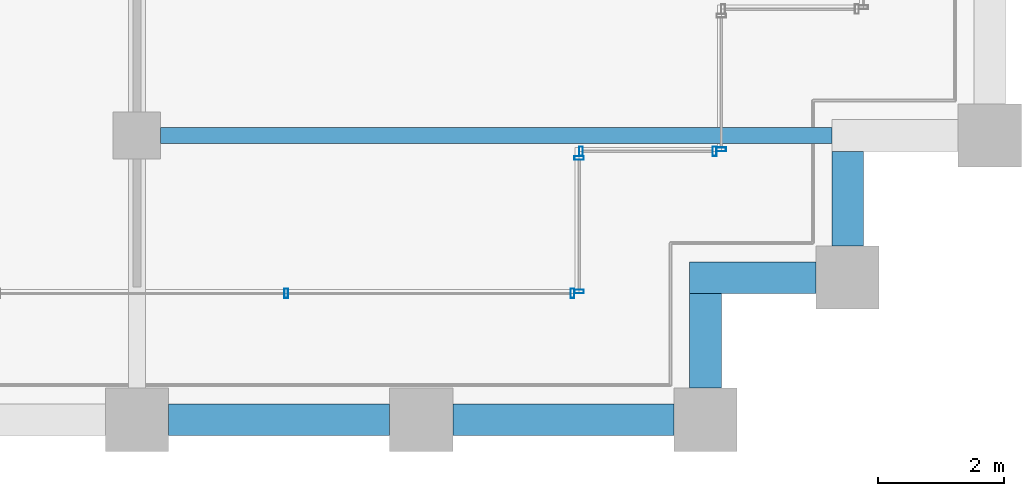
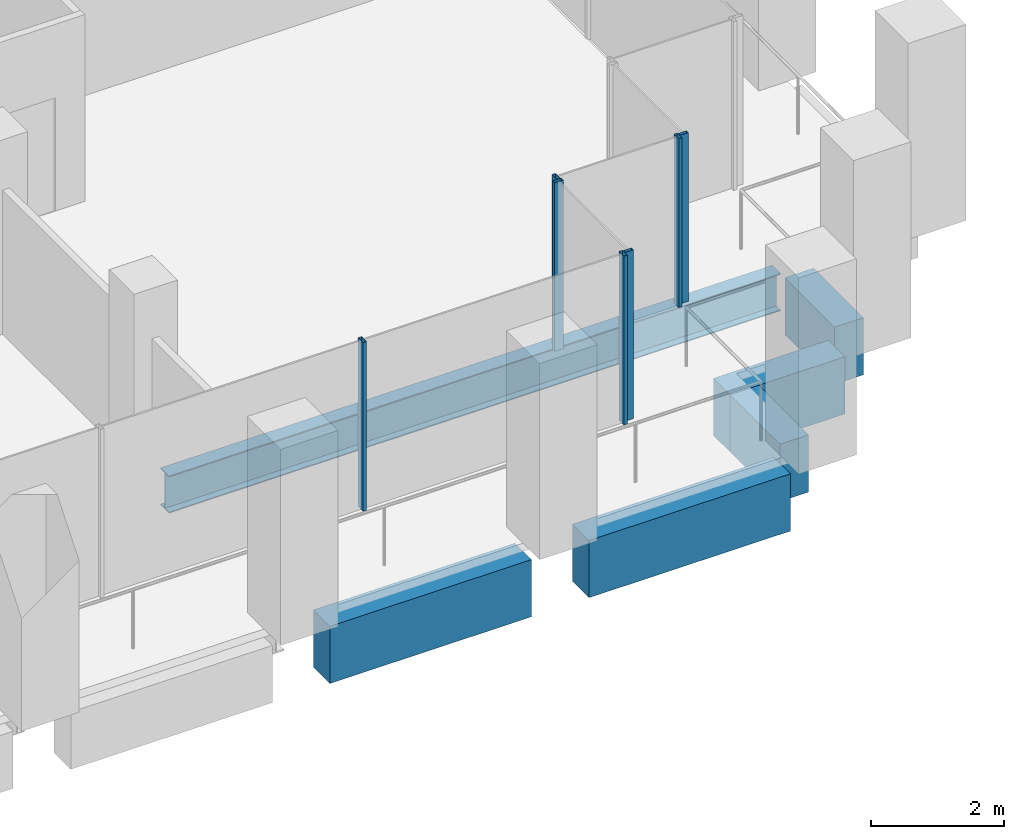
# One storey, part 12 of 47: 7 members, 6 beams, 4 elements without a shape of their own.
"""IFC4 building model written with IfcOpenShell, lengths in metres."""

from ifc_helpers import new_model, si_unit, direction, frame, origin, origin_2d, place, context, subcontext, project, spatial, rectangle, hollow_rectangle, i_section, extrude, material, material_profile, profile_set, type_object, element, aggregate, save


model = new_model("IFC4")

# Units and contexts
model_context = context("Model", 3, precision=1e-05, world=origin(), true_north=direction((0.0, 1.0)))
body_context = subcontext(model_context, "Body", "Model", "MODEL_VIEW")
ifc_project = project(units=[si_unit("LENGTHUNIT", "METRE"), si_unit("AREAUNIT", "SQUARE_METRE"), si_unit("VOLUMEUNIT", "CUBIC_METRE"), si_unit("PLANEANGLEUNIT", "RADIAN"), si_unit("MASSUNIT", "GRAM", prefix="KILO")], contexts=[model_context])

# Site, building, storey
site_placement = place(None, origin())
site = spatial("IfcSite", under=ifc_project, at=site_placement, CompositionType="ELEMENT")
building_placement = place(site_placement, origin())
building = spatial("IfcBuilding", under=site, at=building_placement, Name="Altepetl Exchange Towers", CompositionType="ELEMENT")
storey_placement = place(building_placement, frame((0.0, 0.0, 95.60009765625)))
storey = spatial("IfcBuildingStorey", under=building, at=storey_placement, Name="L23", CompositionType="ELEMENT", Elevation=95.60009765625)

# Beam
ifc_material_1 = material(Name="Steel S355", Category="steel")
ifc_material_profile_1 = material_profile(ifc_material_1, i_section(OverallWidth=0.25390625, OverallDepth=0.68408203125, WebThickness=0.012451171875, FlangeThickness=0.018798828125, at=origin_2d()), Name="W27X94")
ifc_profile_set_1 = profile_set([ifc_material_profile_1], Name="Steel S355")
beam_type_1 = type_object("IfcBeamType", Name="Floor beam W27X94", PredefinedType="BEAM", material=ifc_profile_set_1)
beam_1_placement = place(storey_placement, frame((58.875, 31.5, -0.4921875), z_axis=(1.0, 0.0, 0.0), x_axis=(0.0, 1.0, 0.0)))
element("IfcBeam", 1, at=beam_1_placement, inside=storey, type_object=beam_type_1, Name="bm:A:L23:006", PredefinedType="BEAM", context=body_context, shape_type="SweptSolid", body=[
    extrude(i_section(OverallWidth=0.25390625, OverallDepth=0.68408203125, WebThickness=0.012451171875, FlangeThickness=0.018798828125, at=origin_2d()), origin(), (0.0, 0.0, 1.0), 10.625),
])

# Curtain wall, members
ifc_material_2 = material(Name="Aluminium 6063-T6 glazing", Category="aluminium")
curtain_wall_type = type_object("IfcCurtainWallType", Name="Loggia glazing system", PredefinedType="NOTDEFINED", material=ifc_material_2)
curtain_wall_1_placement = place(storey_placement, origin())
curtain_wall_1 = element("IfcCurtainWall", 2, at=curtain_wall_1_placement, inside=storey, type_object=curtain_wall_type, Name="CW1 run", PredefinedType="NOTDEFINED")
ifc_material_3 = material(Name="Aluminium 6063-T6", Category="aluminium")
ifc_material_profile_2 = material_profile(ifc_material_3, hollow_rectangle(XDim=0.06005859375, YDim=0.14990234375, WallThickness=0.0029296875, at=origin_2d()), Name="Mullion 60x150 aluminium")
ifc_profile_set_2 = profile_set([ifc_material_profile_2], Name="Aluminium 6063-T6")
member_type = type_object("IfcMemberType", Name="Mullion 60x150 aluminium", PredefinedType="MULLION", material=ifc_profile_set_2)
member_1_placement = place(storey_placement, frame((60.8642578125, 29.0, 0.0)))
member_1 = element("IfcMember", 3, at=member_1_placement, type_object=member_type, Name="MU1 mullion", PredefinedType="MULLION", context=body_context, shape_type="SweptSolid", body=[
    extrude(hollow_rectangle(XDim=0.06005859375, YDim=0.14990234375, WallThickness=0.0029296875, at=origin_2d()), origin(), (0.0, 0.0, 1.0), 3.099853515625),
])
member_2_placement = place(storey_placement, frame((65.39501953125, 29.0, 0.0)))
member_2 = element("IfcMember", 4, at=member_2_placement, type_object=member_type, Name="MU1 mullion", PredefinedType="MULLION", context=body_context, shape_type="SweptSolid", body=[
    extrude(hollow_rectangle(XDim=0.06005859375, YDim=0.14990234375, WallThickness=0.0029296875, at=origin_2d()), origin(), (0.0, 0.0, 1.0), 3.099853515625),
])
aggregate(curtain_wall_1, [member_1, member_2])

curtain_wall_2_placement = place(storey_placement, origin())
curtain_wall_2 = element("IfcCurtainWall", 5, at=curtain_wall_2_placement, inside=storey, type_object=curtain_wall_type, Name="CW1 run", PredefinedType="NOTDEFINED")
member_3_placement = place(storey_placement, frame((65.5, 29.030029296875, 0.0), z_axis=(0.0, 0.0, 1.0), x_axis=(0.0, 1.0, 0.0)))
member_3 = element("IfcMember", 6, at=member_3_placement, type_object=member_type, Name="MU1 mullion", PredefinedType="MULLION", context=body_context, shape_type="SweptSolid", body=[
    extrude(hollow_rectangle(XDim=0.06005859375, YDim=0.14990234375, WallThickness=0.0029296875, at=origin_2d()), origin(), (0.0, 0.0, 1.0), 3.099853515625),
])
member_4_placement = place(storey_placement, frame((65.5, 31.14501953125, 0.0), z_axis=(0.0, 0.0, 1.0), x_axis=(0.0, 1.0, 0.0)))
member_4 = element("IfcMember", 7, at=member_4_placement, type_object=member_type, Name="MU1 mullion", PredefinedType="MULLION", context=body_context, shape_type="SweptSolid", body=[
    extrude(hollow_rectangle(XDim=0.06005859375, YDim=0.14990234375, WallThickness=0.0029296875, at=origin_2d()), origin(), (0.0, 0.0, 1.0), 3.099853515625),
])
aggregate(curtain_wall_2, [member_3, member_4])

curtain_wall_3_placement = place(storey_placement, origin())
curtain_wall_3 = element("IfcCurtainWall", 8, at=curtain_wall_3_placement, inside=storey, type_object=curtain_wall_type, Name="CW1 run", PredefinedType="NOTDEFINED")
member_5_placement = place(storey_placement, frame((65.530029296875, 31.25, 0.0)))
member_5 = element("IfcMember", 9, at=member_5_placement, type_object=member_type, Name="MU1 mullion", PredefinedType="MULLION", context=body_context, shape_type="SweptSolid", body=[
    extrude(hollow_rectangle(XDim=0.06005859375, YDim=0.14990234375, WallThickness=0.0029296875, at=origin_2d()), origin(), (0.0, 0.0, 1.0), 3.099853515625),
])
member_6_placement = place(storey_placement, frame((67.64501953125, 31.25, 0.0)))
member_6 = element("IfcMember", 10, at=member_6_placement, type_object=member_type, Name="MU1 mullion", PredefinedType="MULLION", context=body_context, shape_type="SweptSolid", body=[
    extrude(hollow_rectangle(XDim=0.06005859375, YDim=0.14990234375, WallThickness=0.0029296875, at=origin_2d()), origin(), (0.0, 0.0, 1.0), 3.099853515625),
])
aggregate(curtain_wall_3, [member_5, member_6])

# Curtain wall, member
curtain_wall_4_placement = place(storey_placement, origin())
curtain_wall_4 = element("IfcCurtainWall", 11, at=curtain_wall_4_placement, inside=storey, type_object=curtain_wall_type, Name="CW1 run", PredefinedType="NOTDEFINED")
member_7_placement = place(storey_placement, frame((67.75, 31.280029296875, 0.0), z_axis=(0.0, 0.0, 1.0), x_axis=(0.0, 1.0, 0.0)))
member_7 = element("IfcMember", 12, at=member_7_placement, type_object=member_type, Name="MU1 mullion", PredefinedType="MULLION", context=body_context, shape_type="SweptSolid", body=[
    extrude(hollow_rectangle(XDim=0.06005859375, YDim=0.14990234375, WallThickness=0.0029296875, at=origin_2d()), origin(), (0.0, 0.0, 1.0), 3.099853515625),
])
aggregate(curtain_wall_4, [member_7])

# Beams
ifc_material_4 = material(Name="Concrete C50/60 precast with cantera amarilla facing", Category="concrete")
ifc_material_profile_3 = material_profile(ifc_material_4, rectangle(XDim=0.5, YDim=1.050048828125, at=origin_2d()), Name="500 x 1050")
ifc_profile_set_3 = profile_set([ifc_material_profile_3], Name="Concrete C50/60 precast with cantera amarilla facing")
beam_type_2 = type_object("IfcBeamType", Name="Spandrel beam 500x1050 cantera amarilla", PredefinedType="SPANDREL", material=ifc_profile_set_3)
for number, where, z_axis, x_axis, name in (
    (13, (59.0, 27.0, -0.675048828125), (1.0, 0.0, 0.0), (0.0, 1.0, 0.0), "sp:A:L23:006"),
    (14, (63.5, 27.0, -0.675048828125), (1.0, 0.0, 0.0), (0.0, 1.0, 0.0), "sp:A:L23:007"),
):
    element("IfcBeam", number, at=place(storey_placement, frame(where, z_axis=z_axis, x_axis=x_axis)), inside=storey, type_object=beam_type_2, Name=name, PredefinedType="SPANDREL", context=body_context, shape_type="SweptSolid", body=[
        extrude(rectangle(XDim=0.5, YDim=1.050048828125, at=origin_2d()), origin(), (0.0, 0.0, 1.0), 3.5),
    ])
beam_2_placement = place(storey_placement, frame((67.5, 27.5, -0.675048828125), z_axis=(0.0, 1.0, 0.0), x_axis=(-1.0, 0.0, 0.0)))
element("IfcBeam", 15, at=beam_2_placement, inside=storey, type_object=beam_type_2, Name="sp:A:L23:008", PredefinedType="SPANDREL", context=body_context, shape_type="SweptSolid", body=[
    extrude(rectangle(XDim=0.5, YDim=1.050048828125, at=origin_2d()), origin(), (0.0, 0.0, 1.0), 1.5),
])
beam_3_placement = place(storey_placement, frame((67.25, 29.25, -0.675048828125), z_axis=(1.0, 0.0, 0.0), x_axis=(0.0, 1.0, 0.0)))
element("IfcBeam", 16, at=beam_3_placement, inside=storey, type_object=beam_type_2, Name="sp:A:L23:009", PredefinedType="SPANDREL", context=body_context, shape_type="SweptSolid", body=[
    extrude(rectangle(XDim=0.5, YDim=1.050048828125, at=origin_2d()), origin(), (0.0, 0.0, 1.0), 2.0),
])
beam_4_placement = place(storey_placement, frame((69.75, 29.75, -0.675048828125), z_axis=(0.0, 1.0, 0.0), x_axis=(-1.0, 0.0, 0.0)))
element("IfcBeam", 17, at=beam_4_placement, inside=storey, type_object=beam_type_2, Name="sp:A:L23:010", PredefinedType="SPANDREL", context=body_context, shape_type="SweptSolid", body=[
    extrude(rectangle(XDim=0.5, YDim=1.050048828125, at=origin_2d()), origin(), (0.0, 0.0, 1.0), 1.5),
])

save(model, "model.ifc")
